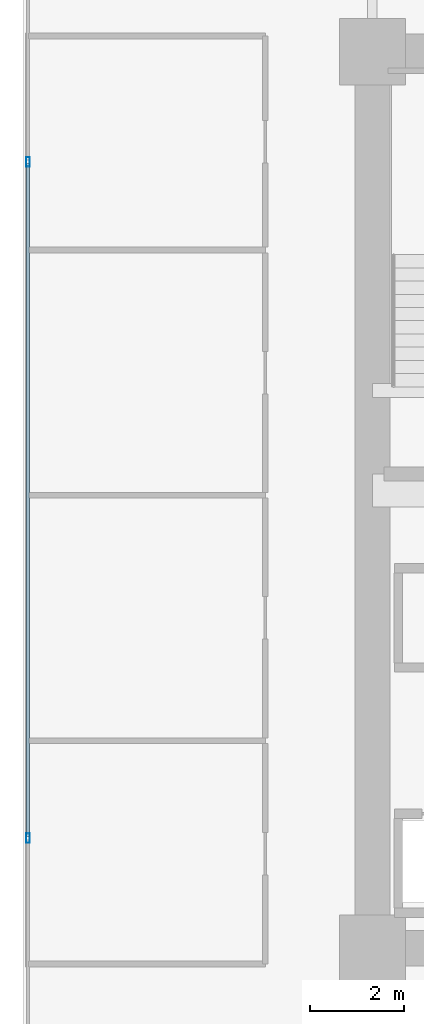
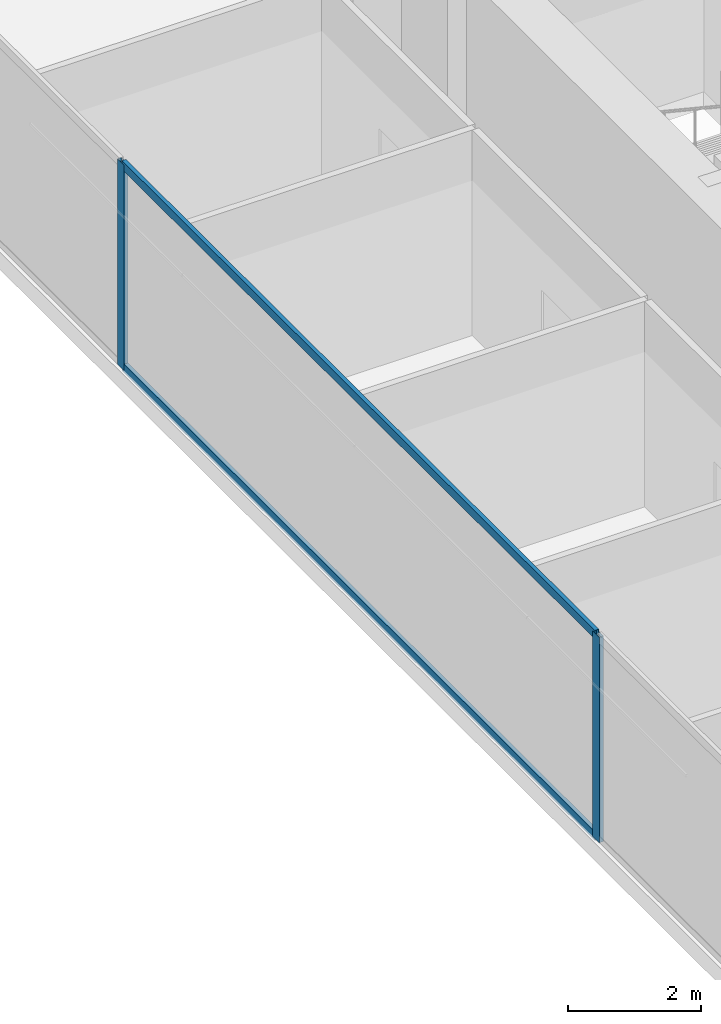
# One storey, part 6 of 36: 4 members, 1 element without a shape of its own.
"""IFC4 building model written with IfcOpenShell, lengths in metres."""

from ifc_helpers import new_model, si_unit, direction, frame, origin, origin_2d, place, context, subcontext, project, spatial, hollow_rectangle, extrude, source, transform, mapped, material, layer, layer_set, material_profile, profile_set, type_object, type_shapes, element, aggregate, save


model = new_model("IFC4")

# Units and contexts
model_context = context("Model", 3, precision=1e-05, world=origin(), true_north=direction((0.0, 1.0)))
body_context = subcontext(model_context, "Body", "Model", "MODEL_VIEW")
ifc_project = project(units=[si_unit("LENGTHUNIT", "METRE"), si_unit("AREAUNIT", "SQUARE_METRE"), si_unit("VOLUMEUNIT", "CUBIC_METRE"), si_unit("PLANEANGLEUNIT", "RADIAN"), si_unit("MASSUNIT", "GRAM", prefix="KILO")], contexts=[model_context])

# Site, building, storey
site_placement = place(None, origin())
site = spatial("IfcSite", under=ifc_project, at=site_placement, CompositionType="ELEMENT")
building_placement = place(site_placement, origin())
building = spatial("IfcBuilding", under=site, at=building_placement, Name="Haelvirn Gate Laboratories", CompositionType="ELEMENT")
storey_placement = place(building_placement, frame((0.0, 0.0, 53.89990234375)))
storey = spatial("IfcBuildingStorey", under=building, at=storey_placement, Name="L13", CompositionType="ELEMENT", Elevation=53.89990234375)

# Curtain wall, members
ifc_material_1 = material(Name="Anodised bronze unitised aluminium & triple low-E glass", Category="aluminium")
ifc_layer = layer(ifc_material_1, 0.18408203125, Name="CW-SYS-2")
ifc_layer_set = layer_set([ifc_layer], Name="Anodised bronze unitised aluminium & triple low-E glass")
curtain_wall_type = type_object("IfcCurtainWallType", Name="CW-SYS-2", PredefinedType="NOTDEFINED", material=ifc_layer_set)
curtain_wall_placement = place(storey_placement, origin())
curtain_wall = element("IfcCurtainWall", 1, at=curtain_wall_placement, inside=storey, type_object=curtain_wall_type, Name="L13 Unitised Curtain Wall CW-L13-P0-E17", PredefinedType="NOTDEFINED")
ifc_material_2 = material(Name="Extruded aluminium 6063-T6 (anodised bronze)", Category="aluminium")
ifc_material_profile_1 = material_profile(ifc_material_2, hollow_rectangle(XDim=0.074951171875, YDim=0.199951171875, WallThickness=0.0048828125, at=origin_2d()), Name="CWM-200x75x5")
ifc_profile_set_1 = profile_set([ifc_material_profile_1], Name="Extruded aluminium 6063-T6 (anodised bronze)")
member_type_1 = type_object("IfcMemberType", Name="CWM-T200", PredefinedType="MULLION", material=ifc_profile_set_1)
shared_shape_1 = source(origin(), body_context, "Body", "SweptSolid", [
    extrude(hollow_rectangle(XDim=0.074951171875, YDim=0.199951171875, WallThickness=0.0048828125, at=origin_2d()), origin(), (0.0, 0.0, 1.0), 3.780029296875),
])
type_shapes(member_type_1, [shared_shape_1])
member_1_placement = place(storey_placement, frame((0.10009765625, 31.466552734375, 0.0), z_axis=(0.0, 0.0, 1.0), x_axis=(1.0, 0.0, 0.0)))
member_1 = element("IfcMember", 2, at=member_1_placement, type_object=member_type_1, Name="CW2 mullion 2", PredefinedType="MULLION", context=body_context, shape_type="MappedRepresentation", body=[
    mapped(shared_shape_1, transform((0.0, 0.0, 0.0), scale=1.0)),
])
member_2_placement = place(storey_placement, frame((0.10009765625, 17.13330078125, 0.0), z_axis=(0.0, 0.0, 1.0), x_axis=(1.0, 0.0, 0.0)))
member_2 = element("IfcMember", 3, at=member_2_placement, type_object=member_type_1, Name="CW2 mullion 3", PredefinedType="MULLION", context=body_context, shape_type="MappedRepresentation", body=[
    mapped(shared_shape_1, transform((0.0, 0.0, 0.0), scale=1.0)),
])
ifc_material_profile_2 = material_profile(ifc_material_2, hollow_rectangle(XDim=0.070068359375, YDim=0.159912109375, WallThickness=0.0048828125, at=origin_2d()), Name="CWT-160x70x5")
ifc_profile_set_2 = profile_set([ifc_material_profile_2], Name="Extruded aluminium 6063-T6 (anodised bronze)")
member_type_2 = type_object("IfcMemberType", Name="CWT-T160", PredefinedType="USERDEFINED", material=ifc_profile_set_2)
shared_shape_2 = source(origin(), body_context, "Body", "SweptSolid", [
    extrude(hollow_rectangle(XDim=0.070068359375, YDim=0.159912109375, WallThickness=0.0048828125, at=origin_2d()), origin(), (0.0, 0.0, 1.0), 14.25830078125),
])
type_shapes(member_type_2, [shared_shape_2])
member_3_placement = place(storey_placement, frame((0.10009765625, 31.42919921875, 0.03515625), z_axis=(0.0, -1.0, 0.0), x_axis=(1.0, 0.0, 0.0)))
member_3 = element("IfcMember", 4, at=member_3_placement, type_object=member_type_2, Name="CW2 transom 2.1", ObjectType="TRANSOM", PredefinedType="USERDEFINED", context=body_context, shape_type="MappedRepresentation", body=[
    mapped(shared_shape_2, transform((0.0, 0.0, 0.0), scale=1.0)),
])
member_4_placement = place(storey_placement, frame((0.10009765625, 31.42919921875, 3.7451171875), z_axis=(0.0, -1.0, 0.0), x_axis=(1.0, 0.0, 0.0)))
member_4 = element("IfcMember", 5, at=member_4_placement, type_object=member_type_2, Name="CW2 transom 2.2", ObjectType="TRANSOM", PredefinedType="USERDEFINED", context=body_context, shape_type="MappedRepresentation", body=[
    mapped(shared_shape_2, transform((0.0, 0.0, 0.0), scale=1.0)),
])
aggregate(curtain_wall, [member_1, member_2, member_3, member_4])

save(model, "model.ifc")
